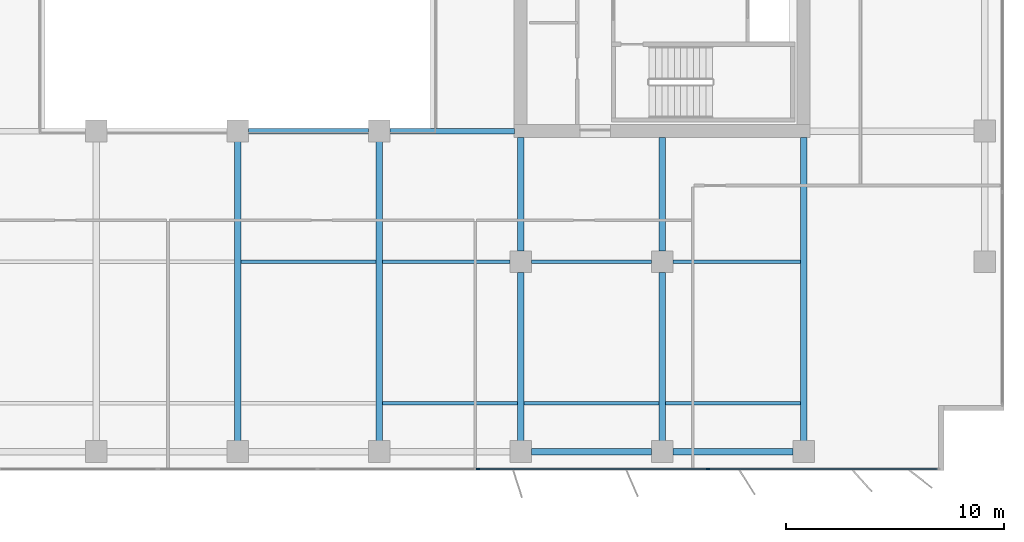
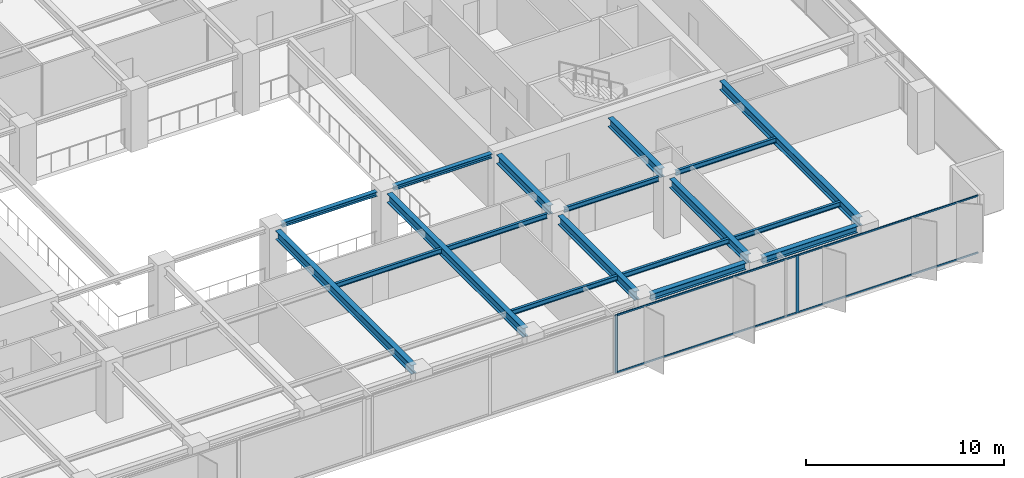
# One storey, part 6 of 22: 18 beams, 6 members, 1 element without a shape of its own.
"""IFC4 building model written with IfcOpenShell, lengths in metres."""

from ifc_helpers import new_model, si_unit, direction, frame, origin, origin_2d, place, context, subcontext, project, spatial, rectangle, i_section, extrude, material, layer, layer_set, material_profile, profile_set, type_object, element, aggregate, save


model = new_model("IFC4")

# Units and contexts
model_context = context("Model", 3, precision=1e-05, world=origin(), true_north=direction((0.0, 1.0)))
body_context = subcontext(model_context, "Body", "Model", "MODEL_VIEW")
ifc_project = project(units=[si_unit("LENGTHUNIT", "METRE"), si_unit("AREAUNIT", "SQUARE_METRE"), si_unit("VOLUMEUNIT", "CUBIC_METRE"), si_unit("PLANEANGLEUNIT", "RADIAN"), si_unit("MASSUNIT", "GRAM", prefix="KILO")], contexts=[model_context])

# Site, building, storey
site_placement = place(None, origin())
site = spatial("IfcSite", under=ifc_project, at=site_placement, CompositionType="ELEMENT")
building_placement = place(site_placement, origin())
building = spatial("IfcBuilding", under=site, at=building_placement, Name="Putna Gate Headquarters", CompositionType="ELEMENT")
storey_placement = place(building_placement, frame((0.0, 0.0, 159.39990234375)))
storey = spatial("IfcBuildingStorey", under=building, at=storey_placement, Name="L39", CompositionType="ELEMENT", Elevation=159.39990234375)

# Beams
ifc_material_1 = material(Name="Steel S355J2", Category="steel")
ifc_material_profile_1 = material_profile(ifc_material_1, i_section(OverallWidth=0.260009765625, OverallDepth=0.260009765625, WebThickness=0.010009765625, FlangeThickness=0.017578125, at=origin_2d()), Name="Steel S355J2")
ifc_profile_set_1 = profile_set([ifc_material_profile_1], Name="Steel S355J2")
beam_type_1 = type_object("IfcBeamType", Name="BM-ATRIUM-HEB260", PredefinedType="BEAM", material=ifc_profile_set_1)
beam_1_placement = place(storey_placement, frame((39.488037109375, 19.0, 3.442138671875), z_axis=(1.0, 0.0, 0.0), x_axis=(0.0, 1.0, 0.0)))
element("IfcBeam", 1, at=beam_1_placement, inside=storey, type_object=beam_type_1, Name="L39 Atrium Edge Beam AS3", PredefinedType="BEAM", context=body_context, shape_type="SweptSolid", body=[
    extrude(i_section(OverallWidth=0.260009765625, OverallDepth=0.260009765625, WebThickness=0.010009765625, FlangeThickness=0.017578125, at=origin_2d()), origin(), (0.0, 0.0, 1.0), 5.52392578125),
])
beam_2_placement = place(storey_placement, frame((45.988037109375, 19.0, 3.442138671875), z_axis=(1.0, 0.0, 0.0), x_axis=(0.0, 1.0, 0.0)))
element("IfcBeam", 2, at=beam_2_placement, inside=storey, type_object=beam_type_1, Name="L39 Atrium Edge Beam AS4", PredefinedType="BEAM", context=body_context, shape_type="SweptSolid", body=[
    extrude(i_section(OverallWidth=0.260009765625, OverallDepth=0.260009765625, WebThickness=0.010009765625, FlangeThickness=0.017578125, at=origin_2d()), origin(), (0.0, 0.0, 1.0), 5.72705078125),
])
ifc_material_profile_2 = material_profile(ifc_material_1, i_section(OverallWidth=0.300048828125, OverallDepth=0.550048828125, WebThickness=0.014892578125, FlangeThickness=0.029052734375, at=origin_2d()), Name="Steel S355J2")
ifc_profile_set_2 = profile_set([ifc_material_profile_2], Name="Steel S355J2")
beam_type_2 = type_object("IfcBeamType", Name="BM-GIRD-Z3-HEB550", PredefinedType="USERDEFINED", material=ifc_profile_set_2)
for number, where, z_axis, x_axis, name in (
    (3, (39.0, 4.76806640625, 3.297119140625), (0.0, 1.0, 0.0), (-1.0, 0.0, 0.0), "L39 South Primary Girder X39"),
    (4, (45.5, 4.76806640625, 3.297119140625), (0.0, 1.0, 0.0), (-1.0, 0.0, 0.0), "L39 South Primary Girder X45"),
):
    element("IfcBeam", number, at=place(storey_placement, frame(where, z_axis=z_axis, x_axis=x_axis)), inside=storey, type_object=beam_type_2, Name=name, ObjectType="GIRDER", PredefinedType="USERDEFINED", context=body_context, shape_type="SweptSolid", body=[
        extrude(i_section(OverallWidth=0.300048828125, OverallDepth=0.550048828125, WebThickness=0.014892578125, FlangeThickness=0.029052734375, at=origin_2d()), origin(), (0.0, 0.0, 1.0), 13.743896484375),
    ])
beam_3_placement = place(storey_placement, frame((52.0, 4.76806640625, 3.297119140625), z_axis=(0.0, 1.0, 0.0), x_axis=(-1.0, 0.0, 0.0)))
element("IfcBeam", 5, at=beam_3_placement, inside=storey, type_object=beam_type_2, Name="L39 South Primary Girder X52-1", ObjectType="GIRDER", PredefinedType="USERDEFINED", context=body_context, shape_type="SweptSolid", body=[
    extrude(i_section(OverallWidth=0.300048828125, OverallDepth=0.550048828125, WebThickness=0.014892578125, FlangeThickness=0.029052734375, at=origin_2d()), origin(), (0.0, 0.0, 1.0), 7.743896484375),
])
beam_4_placement = place(storey_placement, frame((52.0, 13.488037109375, 3.297119140625), z_axis=(0.0, 1.0, 0.0), x_axis=(-1.0, 0.0, 0.0)))
element("IfcBeam", 6, at=beam_4_placement, inside=storey, type_object=beam_type_2, Name="L39 South Primary Girder X52-2", ObjectType="GIRDER", PredefinedType="USERDEFINED", context=body_context, shape_type="SweptSolid", body=[
    extrude(i_section(OverallWidth=0.300048828125, OverallDepth=0.550048828125, WebThickness=0.014892578125, FlangeThickness=0.029052734375, at=origin_2d()), origin(), (0.0, 0.0, 1.0), 5.22705078125),
])
beam_5_placement = place(storey_placement, frame((58.5, 4.76806640625, 3.297119140625), z_axis=(0.0, 1.0, 0.0), x_axis=(-1.0, 0.0, 0.0)))
element("IfcBeam", 7, at=beam_5_placement, inside=storey, type_object=beam_type_2, Name="L39 South Primary Girder X58-1", ObjectType="GIRDER", PredefinedType="USERDEFINED", context=body_context, shape_type="SweptSolid", body=[
    extrude(i_section(OverallWidth=0.300048828125, OverallDepth=0.550048828125, WebThickness=0.014892578125, FlangeThickness=0.029052734375, at=origin_2d()), origin(), (0.0, 0.0, 1.0), 7.743896484375),
])
beam_6_placement = place(storey_placement, frame((58.5, 13.488037109375, 3.297119140625), z_axis=(0.0, 1.0, 0.0), x_axis=(-1.0, 0.0, 0.0)))
element("IfcBeam", 8, at=beam_6_placement, inside=storey, type_object=beam_type_2, Name="L39 South Primary Girder X58-2", ObjectType="GIRDER", PredefinedType="USERDEFINED", context=body_context, shape_type="SweptSolid", body=[
    extrude(i_section(OverallWidth=0.300048828125, OverallDepth=0.550048828125, WebThickness=0.014892578125, FlangeThickness=0.029052734375, at=origin_2d()), origin(), (0.0, 0.0, 1.0), 5.22705078125),
])
beam_7_placement = place(storey_placement, frame((65.0, 4.76806640625, 3.297119140625), z_axis=(0.0, 1.0, 0.0), x_axis=(-1.0, 0.0, 0.0)))
element("IfcBeam", 9, at=beam_7_placement, inside=storey, type_object=beam_type_2, Name="L39 South Primary Girder X65", ObjectType="GIRDER", PredefinedType="USERDEFINED", context=body_context, shape_type="SweptSolid", body=[
    extrude(i_section(OverallWidth=0.300048828125, OverallDepth=0.550048828125, WebThickness=0.014892578125, FlangeThickness=0.029052734375, at=origin_2d()), origin(), (0.0, 0.0, 1.0), 13.947021484375),
])
ifc_material_profile_3 = material_profile(ifc_material_1, i_section(OverallWidth=0.14990234375, OverallDepth=0.300048828125, WebThickness=0.007080078125, FlangeThickness=0.0107421875, at=origin_2d()), Name="Steel S355J2")
ifc_profile_set_3 = profile_set([ifc_material_profile_3], Name="Steel S355J2")
beam_type_3 = type_object("IfcBeamType", Name="BM-SEC-Z3-IPE300", PredefinedType="JOIST", material=ifc_profile_set_3)
for number, where, z_axis, x_axis, name in (
    (10, (39.154052734375, 13.0, 3.422119140625), (1.0, 0.0, 0.0), (0.0, 1.0, 0.0), "L39 South Secondary Beam 5"),
    (11, (45.654052734375, 6.5, 3.422119140625), (1.0, 0.0, 0.0), (0.0, 1.0, 0.0), "L39 South Secondary Beam 6"),
):
    element("IfcBeam", number, at=place(storey_placement, frame(where, z_axis=z_axis, x_axis=x_axis)), inside=storey, type_object=beam_type_3, Name=name, PredefinedType="JOIST", context=body_context, shape_type="SweptSolid", body=[
        extrude(i_section(OverallWidth=0.14990234375, OverallDepth=0.300048828125, WebThickness=0.007080078125, FlangeThickness=0.0107421875, at=origin_2d()), origin(), (0.0, 0.0, 1.0), 6.19189453125),
    ])
beam_8_placement = place(storey_placement, frame((45.654052734375, 13.0, 3.422119140625), z_axis=(1.0, 0.0, 0.0), x_axis=(0.0, 1.0, 0.0)))
element("IfcBeam", 12, at=beam_8_placement, inside=storey, type_object=beam_type_3, Name="L39 South Secondary Beam 6", PredefinedType="JOIST", context=body_context, shape_type="SweptSolid", body=[
    extrude(i_section(OverallWidth=0.14990234375, OverallDepth=0.300048828125, WebThickness=0.007080078125, FlangeThickness=0.0107421875, at=origin_2d()), origin(), (0.0, 0.0, 1.0), 5.85791015625),
])
beam_9_placement = place(storey_placement, frame((52.154052734375, 6.5, 3.422119140625), z_axis=(1.0, 0.0, 0.0), x_axis=(0.0, 1.0, 0.0)))
element("IfcBeam", 13, at=beam_9_placement, inside=storey, type_object=beam_type_3, Name="L39 South Secondary Beam 7", PredefinedType="JOIST", context=body_context, shape_type="SweptSolid", body=[
    extrude(i_section(OverallWidth=0.14990234375, OverallDepth=0.300048828125, WebThickness=0.007080078125, FlangeThickness=0.0107421875, at=origin_2d()), origin(), (0.0, 0.0, 1.0), 6.19189453125),
])
beam_10_placement = place(storey_placement, frame((52.488037109375, 13.0, 3.422119140625), z_axis=(1.0, 0.0, 0.0), x_axis=(0.0, 1.0, 0.0)))
element("IfcBeam", 14, at=beam_10_placement, inside=storey, type_object=beam_type_3, Name="L39 South Secondary Beam 7", PredefinedType="JOIST", context=body_context, shape_type="SweptSolid", body=[
    extrude(i_section(OverallWidth=0.14990234375, OverallDepth=0.300048828125, WebThickness=0.007080078125, FlangeThickness=0.0107421875, at=origin_2d()), origin(), (0.0, 0.0, 1.0), 5.52392578125),
])
beam_11_placement = place(storey_placement, frame((58.654052734375, 6.5, 3.422119140625), z_axis=(1.0, 0.0, 0.0), x_axis=(0.0, 1.0, 0.0)))
element("IfcBeam", 15, at=beam_11_placement, inside=storey, type_object=beam_type_3, Name="L39 South Secondary Beam 8", PredefinedType="JOIST", context=body_context, shape_type="SweptSolid", body=[
    extrude(i_section(OverallWidth=0.14990234375, OverallDepth=0.300048828125, WebThickness=0.007080078125, FlangeThickness=0.0107421875, at=origin_2d()), origin(), (0.0, 0.0, 1.0), 6.19189453125),
])
beam_12_placement = place(storey_placement, frame((58.988037109375, 13.0, 3.422119140625), z_axis=(1.0, 0.0, 0.0), x_axis=(0.0, 1.0, 0.0)))
element("IfcBeam", 16, at=beam_12_placement, inside=storey, type_object=beam_type_3, Name="L39 South Secondary Beam 8", PredefinedType="JOIST", context=body_context, shape_type="SweptSolid", body=[
    extrude(i_section(OverallWidth=0.14990234375, OverallDepth=0.300048828125, WebThickness=0.007080078125, FlangeThickness=0.0107421875, at=origin_2d()), origin(), (0.0, 0.0, 1.0), 5.85791015625),
])
ifc_material_profile_4 = material_profile(ifc_material_1, i_section(OverallWidth=0.300048828125, OverallDepth=0.39990234375, WebThickness=0.013427734375, FlangeThickness=0.02392578125, at=origin_2d()), Name="Steel S355J2")
ifc_profile_set_4 = profile_set([ifc_material_profile_4], Name="Steel S355J2")
beam_type_4 = type_object("IfcBeamType", Name="BM-SPAN-Z3-HEB400", PredefinedType="SPANDREL", material=ifc_profile_set_4)
for number, where, z_axis, x_axis, name in (
    (17, (52.488037109375, 4.280029296875, 3.3720703125), (1.0, 0.0, 0.0), (0.0, 1.0, 0.0), "L39 S Perimeter Spandrel 7"),
    (18, (58.988037109375, 4.280029296875, 3.3720703125), (1.0, 0.0, 0.0), (0.0, 1.0, 0.0), "L39 S Perimeter Spandrel 8"),
):
    element("IfcBeam", number, at=place(storey_placement, frame(where, z_axis=z_axis, x_axis=x_axis)), inside=storey, type_object=beam_type_4, Name=name, PredefinedType="SPANDREL", context=body_context, shape_type="SweptSolid", body=[
        extrude(i_section(OverallWidth=0.300048828125, OverallDepth=0.39990234375, WebThickness=0.013427734375, FlangeThickness=0.02392578125, at=origin_2d()), origin(), (0.0, 0.0, 1.0), 5.52392578125),
    ])

# Curtain wall, members
ifc_material_2 = material(Name="Anodised bronze aluminium curtain wall", Category="aluminium")
ifc_layer = layer(ifc_material_2, 0.159912109375)
ifc_layer_set = layer_set([ifc_layer], Name="Anodised bronze aluminium curtain wall")
curtain_wall_type = type_object("IfcCurtainWallType", Name="CW-SYS-Z3", PredefinedType="USERDEFINED", material=ifc_layer_set)
curtain_wall_placement = place(storey_placement, origin())
curtain_wall = element("IfcCurtainWall", 19, at=curtain_wall_placement, inside=storey, type_object=curtain_wall_type, Name="L39 South East Curtain Wall", ObjectType="STICK CURTAIN WALL", PredefinedType="USERDEFINED")
ifc_material_3 = material(Name="Anodised bronze aluminium EN AW-6060", Category="aluminium")
ifc_material_profile_5 = material_profile(ifc_material_3, rectangle(XDim=0.06494140625, YDim=0.159912109375, at=origin_2d()), Name="Anodised bronze aluminium EN AW-6060")
ifc_profile_set_5 = profile_set([ifc_material_profile_5], Name="Anodised bronze aluminium EN AW-6060")
member_type_1 = type_object("IfcMemberType", Name="MULL-CWM-3", PredefinedType="MULLION", material=ifc_profile_set_5)
member_1_placement = place(storey_placement, frame((50.032470703125, 3.47998046875, 0.0), z_axis=(0.0, 0.0, 1.0), x_axis=(0.0, 1.0, 0.0)))
member_1 = element("IfcMember", 20, at=member_1_placement, type_object=member_type_1, Name="CWS-3 mullion 1", PredefinedType="MULLION", context=body_context, shape_type="SweptSolid", body=[
    extrude(rectangle(XDim=0.06494140625, YDim=0.159912109375, at=origin_2d()), origin(), (0.0, 0.0, 1.0), 3.572021484375),
])
member_2_placement = place(storey_placement, frame((60.60009765625, 3.47998046875, 0.0), z_axis=(0.0, 0.0, 1.0), x_axis=(0.0, 1.0, 0.0)))
member_2 = element("IfcMember", 21, at=member_2_placement, type_object=member_type_1, Name="CWS-3 mullion 2", PredefinedType="MULLION", context=body_context, shape_type="SweptSolid", body=[
    extrude(rectangle(XDim=0.06494140625, YDim=0.159912109375, at=origin_2d()), origin(), (0.0, 0.0, 1.0), 3.572021484375),
])
ifc_material_profile_6 = material_profile(ifc_material_3, rectangle(XDim=0.06005859375, YDim=0.10009765625, at=origin_2d()), Name="Anodised bronze aluminium EN AW-6060")
ifc_profile_set_6 = profile_set([ifc_material_profile_6], Name="Anodised bronze aluminium EN AW-6060")
member_type_2 = type_object("IfcMemberType", Name="TRAN-CWT-3", PredefinedType="USERDEFINED", material=ifc_profile_set_6)
member_3_placement = place(storey_placement, frame((50.06494140625, 3.47998046875, 0.030029296875), z_axis=(1.0, 0.0, 0.0), x_axis=(0.0, 1.0, 0.0)))
member_3 = element("IfcMember", 22, at=member_3_placement, type_object=member_type_2, Name="CWS-3 transom 1.1", ObjectType="TRANSOM", PredefinedType="USERDEFINED", context=body_context, shape_type="SweptSolid", body=[
    extrude(rectangle(XDim=0.06005859375, YDim=0.10009765625, at=origin_2d()), origin(), (0.0, 0.0, 1.0), 10.50244140625),
])
member_4_placement = place(storey_placement, frame((50.06494140625, 3.47998046875, 3.5419921875), z_axis=(1.0, 0.0, 0.0), x_axis=(0.0, 1.0, 0.0)))
member_4 = element("IfcMember", 23, at=member_4_placement, type_object=member_type_2, Name="CWS-3 transom 1.2", ObjectType="TRANSOM", PredefinedType="USERDEFINED", context=body_context, shape_type="SweptSolid", body=[
    extrude(rectangle(XDim=0.06005859375, YDim=0.10009765625, at=origin_2d()), origin(), (0.0, 0.0, 1.0), 10.50244140625),
])
member_5_placement = place(storey_placement, frame((60.632568359375, 3.47998046875, 0.030029296875), z_axis=(1.0, 0.0, 0.0), x_axis=(0.0, 1.0, 0.0)))
member_5 = element("IfcMember", 24, at=member_5_placement, type_object=member_type_2, Name="CWS-3 transom 2.1", ObjectType="TRANSOM", PredefinedType="USERDEFINED", context=body_context, shape_type="SweptSolid", body=[
    extrude(rectangle(XDim=0.06005859375, YDim=0.10009765625, at=origin_2d()), origin(), (0.0, 0.0, 1.0), 10.50244140625),
])
member_6_placement = place(storey_placement, frame((60.632568359375, 3.47998046875, 3.5419921875), z_axis=(1.0, 0.0, 0.0), x_axis=(0.0, 1.0, 0.0)))
member_6 = element("IfcMember", 25, at=member_6_placement, type_object=member_type_2, Name="CWS-3 transom 2.2", ObjectType="TRANSOM", PredefinedType="USERDEFINED", context=body_context, shape_type="SweptSolid", body=[
    extrude(rectangle(XDim=0.06005859375, YDim=0.10009765625, at=origin_2d()), origin(), (0.0, 0.0, 1.0), 10.50244140625),
])
aggregate(curtain_wall, [member_1, member_2, member_3, member_4, member_5, member_6])

save(model, "model.ifc")
